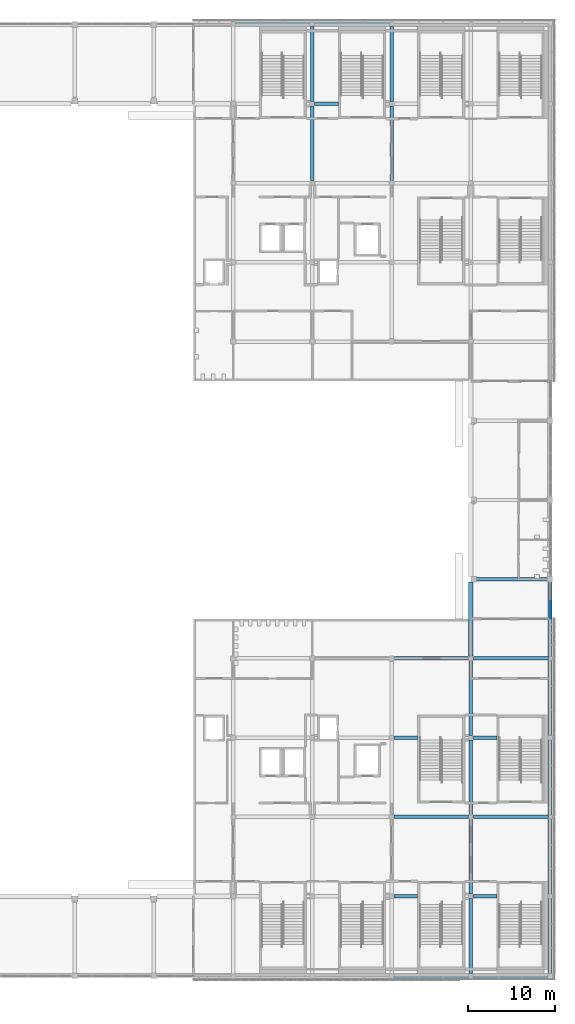
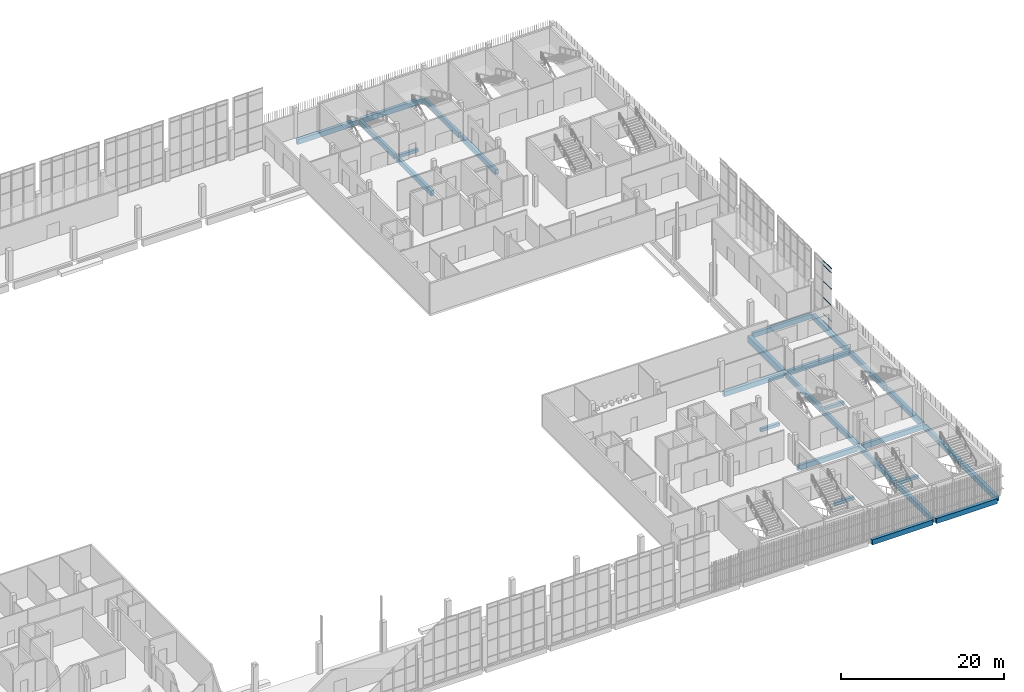
# One storey, part 25 of 91: 28 beams, 6 members, 1 element without a shape of its own.
"""IFC4 building model written with IfcOpenShell, lengths in metres."""

from ifc_helpers import new_model, si_unit, direction, frame, origin, origin_2d, place, context, subcontext, project, spatial, rectangle, hollow_rectangle, extrude, material, layer, layer_set, material_profile, profile_set, type_object, element, aggregate, save


model = new_model("IFC4")

# Units and contexts
model_context = context("Model", 3, precision=1e-05, world=origin(), true_north=direction((0.0, 1.0)))
body_context = subcontext(model_context, "Body", "Model", "MODEL_VIEW")
ifc_project = project(units=[si_unit("LENGTHUNIT", "METRE"), si_unit("AREAUNIT", "SQUARE_METRE"), si_unit("VOLUMEUNIT", "CUBIC_METRE"), si_unit("PLANEANGLEUNIT", "RADIAN"), si_unit("MASSUNIT", "GRAM", prefix="KILO")], contexts=[model_context])

# Site, building, storey
site_placement = place(None, origin())
site = spatial("IfcSite", under=ifc_project, at=site_placement, CompositionType="ELEMENT")
building_placement = place(site_placement, origin())
building = spatial("IfcBuilding", under=site, at=building_placement, Name="Shirokan Park Arena", CompositionType="ELEMENT")
storey_placement = place(building_placement, frame((0.0, 0.0, 24.570068359375)))
storey = spatial("IfcBuildingStorey", under=building, at=storey_placement, Name="L05", CompositionType="ELEMENT", Elevation=24.570068359375)

# Beams
ifc_material_1 = material(Name="Concrete C35", Category="concrete")
ifc_material_profile_1 = material_profile(ifc_material_1, rectangle(XDim=0.39990234375, YDim=0.699951171875, at=origin_2d()), Name="400x700")
ifc_profile_set_1 = profile_set([ifc_material_profile_1], Name="Concrete C35")
beam_type_1 = type_object("IfcBeamType", Name="RC girder 400x700", PredefinedType="BEAM", material=ifc_profile_set_1)
beam_1_placement = place(storey_placement, frame((137.10009765625, 45.5, -0.650146484375), z_axis=(1.0, 0.0, 0.0), x_axis=(0.0, 1.0, 0.0)))
element("IfcBeam", 1, at=beam_1_placement, inside=storey, type_object=beam_type_1, Name="Girder 16F-17F L05", PredefinedType="BEAM", context=body_context, shape_type="SweptSolid", body=[
    extrude(rectangle(XDim=0.39990234375, YDim=0.699951171875, at=origin_2d()), origin(), (0.0, 0.0, 1.0), 8.2998046875),
])
ifc_material_profile_2 = material_profile(ifc_material_1, rectangle(XDim=0.39990234375, YDim=0.75, at=origin_2d()), Name="400x750")
ifc_profile_set_2 = profile_set([ifc_material_profile_2], Name="Concrete C35")
beam_type_2 = type_object("IfcBeamType", Name="RC girder 400x750", PredefinedType="BEAM", material=ifc_profile_set_2)
beam_2_placement = place(storey_placement, frame((127.7001953125, 18.199951171875, -0.675048828125), z_axis=(1.0, 0.0, 0.0), x_axis=(0.0, 1.0, 0.0)))
element("IfcBeam", 2, at=beam_2_placement, inside=storey, type_object=beam_type_2, Name="Girder 15C-16C L05", PredefinedType="BEAM", context=body_context, shape_type="SweptSolid", body=[
    extrude(rectangle(XDim=0.39990234375, YDim=0.75, at=origin_2d()), origin(), (0.0, 0.0, 1.0), 8.524658203125),
])
beam_3_placement = place(storey_placement, frame((127.75, 36.39990234375, -0.675048828125), z_axis=(1.0, 0.0, 0.0), x_axis=(0.0, 1.0, 0.0)))
element("IfcBeam", 3, at=beam_3_placement, inside=storey, type_object=beam_type_2, Name="Girder 15E-16E L05", PredefinedType="BEAM", context=body_context, shape_type="SweptSolid", body=[
    extrude(rectangle(XDim=0.39990234375, YDim=0.75, at=origin_2d()), origin(), (0.0, 0.0, 1.0), 8.449951171875),
])
for number, where, z_axis, x_axis, name in (
    (4, (136.775146484375, 18.199951171875, -0.675048828125), (1.0, 0.0, 0.0), (0.0, 1.0, 0.0), "Girder 16C-17C L05"),
    (5, (136.800048828125, 36.39990234375, -0.675048828125), (1.0, 0.0, 0.0), (0.0, 1.0, 0.0), "Girder 16E-17E L05"),
):
    element("IfcBeam", number, at=place(storey_placement, frame(where, z_axis=z_axis, x_axis=x_axis)), inside=storey, type_object=beam_type_2, Name=name, PredefinedType="BEAM", context=body_context, shape_type="SweptSolid", body=[
        extrude(rectangle(XDim=0.39990234375, YDim=0.75, at=origin_2d()), origin(), (0.0, 0.0, 1.0), 8.624755859375),
    ])
beam_4_placement = place(storey_placement, frame((118.300048828125, 91.300048828125, -0.675048828125), z_axis=(0.0, 1.0, 0.0), x_axis=(-1.0, 0.0, 0.0)))
element("IfcBeam", 6, at=beam_4_placement, inside=storey, type_object=beam_type_2, Name="Girder 14L-14M L05", PredefinedType="BEAM", context=body_context, shape_type="SweptSolid", body=[
    extrude(rectangle(XDim=0.39990234375, YDim=0.75, at=origin_2d()), origin(), (0.0, 0.0, 1.0), 8.5498046875),
])
beam_5_placement = place(storey_placement, frame((118.300048828125, 100.35009765625, -0.675048828125), z_axis=(0.0, 1.0, 0.0), x_axis=(-1.0, 0.0, 0.0)))
element("IfcBeam", 7, at=beam_5_placement, inside=storey, type_object=beam_type_2, Name="Girder 14M-14N L05", PredefinedType="BEAM", context=body_context, shape_type="SweptSolid", body=[
    extrude(rectangle(XDim=0.39990234375, YDim=0.75, at=origin_2d()), origin(), (0.0, 0.0, 1.0), 8.624755859375),
])
beam_6_placement = place(storey_placement, frame((127.39990234375, 91.300048828125, -0.675048828125), z_axis=(0.0, 1.0, 0.0), x_axis=(-1.0, 0.0, 0.0)))
element("IfcBeam", 8, at=beam_6_placement, inside=storey, type_object=beam_type_2, Name="Girder 15L-15M L05", PredefinedType="BEAM", context=body_context, shape_type="SweptSolid", body=[
    extrude(rectangle(XDim=0.39990234375, YDim=0.75, at=origin_2d()), origin(), (0.0, 0.0, 1.0), 8.5498046875),
])
beam_7_placement = place(storey_placement, frame((127.39990234375, 100.35009765625, -0.675048828125), z_axis=(0.0, 1.0, 0.0), x_axis=(-1.0, 0.0, 0.0)))
element("IfcBeam", 9, at=beam_7_placement, inside=storey, type_object=beam_type_2, Name="Girder 15M-15N L05", PredefinedType="BEAM", context=body_context, shape_type="SweptSolid", body=[
    extrude(rectangle(XDim=0.39990234375, YDim=0.75, at=origin_2d()), origin(), (0.0, 0.0, 1.0), 8.624755859375),
])
beam_8_placement = place(storey_placement, frame((136.5, 0.2001953125, -0.675048828125), z_axis=(0.0, 1.0, 0.0), x_axis=(-1.0, 0.0, 0.0)))
element("IfcBeam", 10, at=beam_8_placement, inside=storey, type_object=beam_type_2, Name="Girder 16A-16B L05", PredefinedType="BEAM", context=body_context, shape_type="SweptSolid", body=[
    extrude(rectangle(XDim=0.39990234375, YDim=0.75, at=origin_2d()), origin(), (0.0, 0.0, 1.0), 8.649658203125),
])
for number, where, z_axis, x_axis, name in (
    (11, (136.5, 9.35009765625, -0.675048828125), (0.0, 1.0, 0.0), (-1.0, 0.0, 0.0), "Girder 16B-16C L05"),
    (12, (136.5, 18.47509765625, -0.675048828125), (0.0, 1.0, 0.0), (-1.0, 0.0, 0.0), "Girder 16C-16D L05"),
):
    element("IfcBeam", number, at=place(storey_placement, frame(where, z_axis=z_axis, x_axis=x_axis)), inside=storey, type_object=beam_type_2, Name=name, PredefinedType="BEAM", context=body_context, shape_type="SweptSolid", body=[
        extrude(rectangle(XDim=0.39990234375, YDim=0.75, at=origin_2d()), origin(), (0.0, 0.0, 1.0), 8.57470703125),
    ])
beam_9_placement = place(storey_placement, frame((136.5, 27.550048828125, -0.675048828125), z_axis=(0.0, 1.0, 0.0), x_axis=(-1.0, 0.0, 0.0)))
element("IfcBeam", 13, at=beam_9_placement, inside=storey, type_object=beam_type_2, Name="Girder 16D-16E L05", PredefinedType="BEAM", context=body_context, shape_type="SweptSolid", body=[
    extrude(rectangle(XDim=0.39990234375, YDim=0.75, at=origin_2d()), origin(), (0.0, 0.0, 1.0), 8.5498046875),
])
ifc_material_profile_3 = material_profile(ifc_material_1, rectangle(XDim=0.449951171875, YDim=0.75, at=origin_2d()), Name="450x750")
ifc_profile_set_3 = profile_set([ifc_material_profile_3], Name="Concrete C35")
beam_type_3 = type_object("IfcBeamType", Name="RC girder 450x750", PredefinedType="BEAM", material=ifc_profile_set_3)
beam_10_placement = place(storey_placement, frame((109.4501953125, 109.199951171875, -0.675048828125), z_axis=(1.0, 0.0, 0.0), x_axis=(0.0, 1.0, 0.0)))
element("IfcBeam", 14, at=beam_10_placement, inside=storey, type_object=beam_type_3, Name="Girder 13N-14N L05", PredefinedType="BEAM", context=body_context, shape_type="SweptSolid", body=[
    extrude(rectangle(XDim=0.449951171875, YDim=0.75, at=origin_2d()), origin(), (0.0, 0.0, 1.0), 8.599609375),
])
for number, where, z_axis, x_axis, name in (
    (15, (118.550048828125, 109.199951171875, -0.675048828125), (1.0, 0.0, 0.0), (0.0, 1.0, 0.0), "Girder 14N-15N L05"),
    (16, (127.650146484375, 0.0, -0.675048828125), (1.0, 0.0, 0.0), (0.0, 1.0, 0.0), "Girder 15A-16A L05"),
    (17, (136.75, 0.0, -0.675048828125), (1.0, 0.0, 0.0), (0.0, 1.0, 0.0), "Girder 16A-17A L05"),
    (18, (145.60009765625, 0.25, -0.675048828125), (0.0, 1.0, 0.0), (-1.0, 0.0, 0.0), "Girder 17A-17B L05"),
    (19, (145.60009765625, 9.35009765625, -0.675048828125), (0.0, 1.0, 0.0), (-1.0, 0.0, 0.0), "Girder 17B-17C L05"),
):
    element("IfcBeam", number, at=place(storey_placement, frame(where, z_axis=z_axis, x_axis=x_axis)), inside=storey, type_object=beam_type_3, Name=name, PredefinedType="BEAM", context=body_context, shape_type="SweptSolid", body=[
        extrude(rectangle(XDim=0.449951171875, YDim=0.75, at=origin_2d()), origin(), (0.0, 0.0, 1.0), 8.599853515625),
    ])
beam_11_placement = place(storey_placement, frame((145.60009765625, 18.4501953125, -0.675048828125), z_axis=(0.0, 1.0, 0.0), x_axis=(-1.0, 0.0, 0.0)))
element("IfcBeam", 20, at=beam_11_placement, inside=storey, type_object=beam_type_3, Name="Girder 17C-17D L05", PredefinedType="BEAM", context=body_context, shape_type="SweptSolid", body=[
    extrude(rectangle(XDim=0.449951171875, YDim=0.75, at=origin_2d()), origin(), (0.0, 0.0, 1.0), 8.599609375),
])
for number, where, z_axis, x_axis, name in (
    (21, (145.60009765625, 27.550048828125, -0.675048828125), (0.0, 1.0, 0.0), (-1.0, 0.0, 0.0), "Girder 17D-17E L05"),
    (22, (145.60009765625, 36.650146484375, -0.675048828125), (0.0, 1.0, 0.0), (-1.0, 0.0, 0.0), "Girder 17E-17F L05"),
):
    element("IfcBeam", number, at=place(storey_placement, frame(where, z_axis=z_axis, x_axis=x_axis)), inside=storey, type_object=beam_type_3, Name=name, PredefinedType="BEAM", context=body_context, shape_type="SweptSolid", body=[
        extrude(rectangle(XDim=0.449951171875, YDim=0.75, at=origin_2d()), origin(), (0.0, 0.0, 1.0), 8.599853515625),
    ])
ifc_material_profile_4 = material_profile(ifc_material_1, rectangle(XDim=0.5, YDim=1.0, at=origin_2d()), Name="500x1000")
ifc_profile_set_4 = profile_set([ifc_material_profile_4], Name="Concrete C35")
beam_type_4 = type_object("IfcBeamType", Name="RC girder 500x1000", PredefinedType="BEAM", material=ifc_profile_set_4)
beam_12_placement = place(storey_placement, frame((136.5, 36.7001953125, -0.800048828125), z_axis=(0.0, 1.0, 0.0), x_axis=(-1.0, 0.0, 0.0)))
element("IfcBeam", 23, at=beam_12_placement, inside=storey, type_object=beam_type_4, Name="Girder 16E-16F L05", PredefinedType="BEAM", context=body_context, shape_type="SweptSolid", body=[
    extrude(rectangle(XDim=0.5, YDim=1.0, at=origin_2d()), origin(), (0.0, 0.0, 1.0), 8.499755859375),
])
ifc_material_profile_5 = material_profile(ifc_material_1, rectangle(XDim=0.39990234375, YDim=0.449951171875, at=origin_2d()), Name="400x450")
ifc_profile_set_5 = profile_set([ifc_material_profile_5], Name="Concrete C35")
beam_type_5 = type_object("IfcBeamType", Name="RC trimmer 400x450", PredefinedType="BEAM", material=ifc_profile_set_5)
beam_13_placement = place(storey_placement, frame((118.550048828125, 100.10009765625, -0.525146484375), z_axis=(1.0, 0.0, 0.0), x_axis=(0.0, 1.0, 0.0)))
element("IfcBeam", 24, at=beam_13_placement, inside=storey, type_object=beam_type_5, Name="Girder 14M-15M L05", PredefinedType="BEAM", context=body_context, shape_type="SweptSolid", body=[
    extrude(rectangle(XDim=0.39990234375, YDim=0.449951171875, at=origin_2d()), origin(), (0.0, 0.0, 1.0), 2.75),
])
beam_14_placement = place(storey_placement, frame((127.650146484375, 9.10009765625, -0.525146484375), z_axis=(1.0, 0.0, 0.0), x_axis=(0.0, 1.0, 0.0)))
element("IfcBeam", 25, at=beam_14_placement, inside=storey, type_object=beam_type_5, Name="Girder 15B-16B L05", PredefinedType="BEAM", context=body_context, shape_type="SweptSolid", body=[
    extrude(rectangle(XDim=0.39990234375, YDim=0.449951171875, at=origin_2d()), origin(), (0.0, 0.0, 1.0), 2.749755859375),
])
beam_15_placement = place(storey_placement, frame((127.675048828125, 27.300048828125, -0.525146484375), z_axis=(1.0, 0.0, 0.0), x_axis=(0.0, 1.0, 0.0)))
element("IfcBeam", 26, at=beam_15_placement, inside=storey, type_object=beam_type_5, Name="Girder 15D-16D L05", PredefinedType="BEAM", context=body_context, shape_type="SweptSolid", body=[
    extrude(rectangle(XDim=0.39990234375, YDim=0.449951171875, at=origin_2d()), origin(), (0.0, 0.0, 1.0), 2.724853515625),
])
for number, where, z_axis, x_axis, name in (
    (27, (136.75, 9.10009765625, -0.525146484375), (1.0, 0.0, 0.0), (0.0, 1.0, 0.0), "Girder 16B-17B L05"),
    (28, (136.75, 27.300048828125, -0.525146484375), (1.0, 0.0, 0.0), (0.0, 1.0, 0.0), "Girder 16D-17D L05"),
):
    element("IfcBeam", number, at=place(storey_placement, frame(where, z_axis=z_axis, x_axis=x_axis)), inside=storey, type_object=beam_type_5, Name=name, PredefinedType="BEAM", context=body_context, shape_type="SweptSolid", body=[
        extrude(rectangle(XDim=0.39990234375, YDim=0.449951171875, at=origin_2d()), origin(), (0.0, 0.0, 1.0), 2.75),
    ])

# Curtain wall, members
ifc_material_2 = material(Name="Steel and glass curtain wall", Category="steel")
ifc_layer = layer(ifc_material_2, 0.199951171875)
ifc_layer_set = layer_set([ifc_layer], Name="Steel and glass curtain wall 200 mm")
curtain_wall_type = type_object("IfcCurtainWallType", Name="Curtain wall hall bay 200", PredefinedType="NOTDEFINED", material=ifc_layer_set)
curtain_wall_placement = place(storey_placement, origin())
curtain_wall = element("IfcCurtainWall", 29, at=curtain_wall_placement, inside=storey, type_object=curtain_wall_type, Name="Curtain wall east bay 5 L05", PredefinedType="NOTDEFINED")
ifc_material_3 = material(Name="Steel S355", Category="steel")
ifc_material_profile_6 = material_profile(ifc_material_3, hollow_rectangle(XDim=0.06005859375, YDim=0.0400390625, WallThickness=0.00390625, at=origin_2d()), Name="RHS 60x40x4")
ifc_profile_set_6 = profile_set([ifc_material_profile_6], Name="Steel S355")
member_type = type_object("IfcMemberType", Name="Transom RHS 60x40x4", PredefinedType="MULLION", material=ifc_profile_set_6)
member_1_placement = place(storey_placement, frame((145.64990234375, 40.949951171875, 0.02001953125), z_axis=(0.0, 1.0, 0.0), x_axis=(-1.0, 0.0, 0.0)))
member_1 = element("IfcMember", 30, at=member_1_placement, type_object=member_type, Name="CW5 transom 1.1", PredefinedType="MULLION", context=body_context, shape_type="SweptSolid", body=[
    extrude(hollow_rectangle(XDim=0.06005859375, YDim=0.0400390625, WallThickness=0.00390625, at=origin_2d()), origin(), (0.0, 0.0, 1.0), 2.012451171875),
])
member_2_placement = place(storey_placement, frame((145.64990234375, 40.949951171875, 1.099853515625), z_axis=(0.0, 1.0, 0.0), x_axis=(-1.0, 0.0, 0.0)))
member_2 = element("IfcMember", 31, at=member_2_placement, type_object=member_type, Name="CW5 transom 1.2", PredefinedType="MULLION", context=body_context, shape_type="SweptSolid", body=[
    extrude(hollow_rectangle(XDim=0.06005859375, YDim=0.0400390625, WallThickness=0.00390625, at=origin_2d()), origin(), (0.0, 0.0, 1.0), 2.012451171875),
])
member_3_placement = place(storey_placement, frame((145.64990234375, 40.949951171875, 3.533203125), z_axis=(0.0, 1.0, 0.0), x_axis=(-1.0, 0.0, 0.0)))
member_3 = element("IfcMember", 32, at=member_3_placement, type_object=member_type, Name="CW5 transom 1.3", PredefinedType="MULLION", context=body_context, shape_type="SweptSolid", body=[
    extrude(hollow_rectangle(XDim=0.06005859375, YDim=0.0400390625, WallThickness=0.00390625, at=origin_2d()), origin(), (0.0, 0.0, 1.0), 2.012451171875),
])
member_4_placement = place(storey_placement, frame((145.64990234375, 40.949951171875, 5.966552734375), z_axis=(0.0, 1.0, 0.0), x_axis=(-1.0, 0.0, 0.0)))
member_4 = element("IfcMember", 33, at=member_4_placement, type_object=member_type, Name="CW5 transom 1.4", PredefinedType="MULLION", context=body_context, shape_type="SweptSolid", body=[
    extrude(hollow_rectangle(XDim=0.06005859375, YDim=0.0400390625, WallThickness=0.00390625, at=origin_2d()), origin(), (0.0, 0.0, 1.0), 2.012451171875),
])
member_5_placement = place(storey_placement, frame((145.64990234375, 40.949951171875, 8.39990234375), z_axis=(0.0, 1.0, 0.0), x_axis=(-1.0, 0.0, 0.0)))
member_5 = element("IfcMember", 34, at=member_5_placement, type_object=member_type, Name="CW5 transom 1.5", PredefinedType="MULLION", context=body_context, shape_type="SweptSolid", body=[
    extrude(hollow_rectangle(XDim=0.06005859375, YDim=0.0400390625, WallThickness=0.00390625, at=origin_2d()), origin(), (0.0, 0.0, 1.0), 2.012451171875),
])
member_6_placement = place(storey_placement, frame((145.64990234375, 40.949951171875, 9.030029296875), z_axis=(0.0, 1.0, 0.0), x_axis=(-1.0, 0.0, 0.0)))
member_6 = element("IfcMember", 35, at=member_6_placement, type_object=member_type, Name="CW5 transom 1.6", PredefinedType="MULLION", context=body_context, shape_type="SweptSolid", body=[
    extrude(hollow_rectangle(XDim=0.06005859375, YDim=0.0400390625, WallThickness=0.00390625, at=origin_2d()), origin(), (0.0, 0.0, 1.0), 2.012451171875),
])
aggregate(curtain_wall, [member_1, member_2, member_3, member_4, member_5, member_6])

save(model, "model.ifc")
